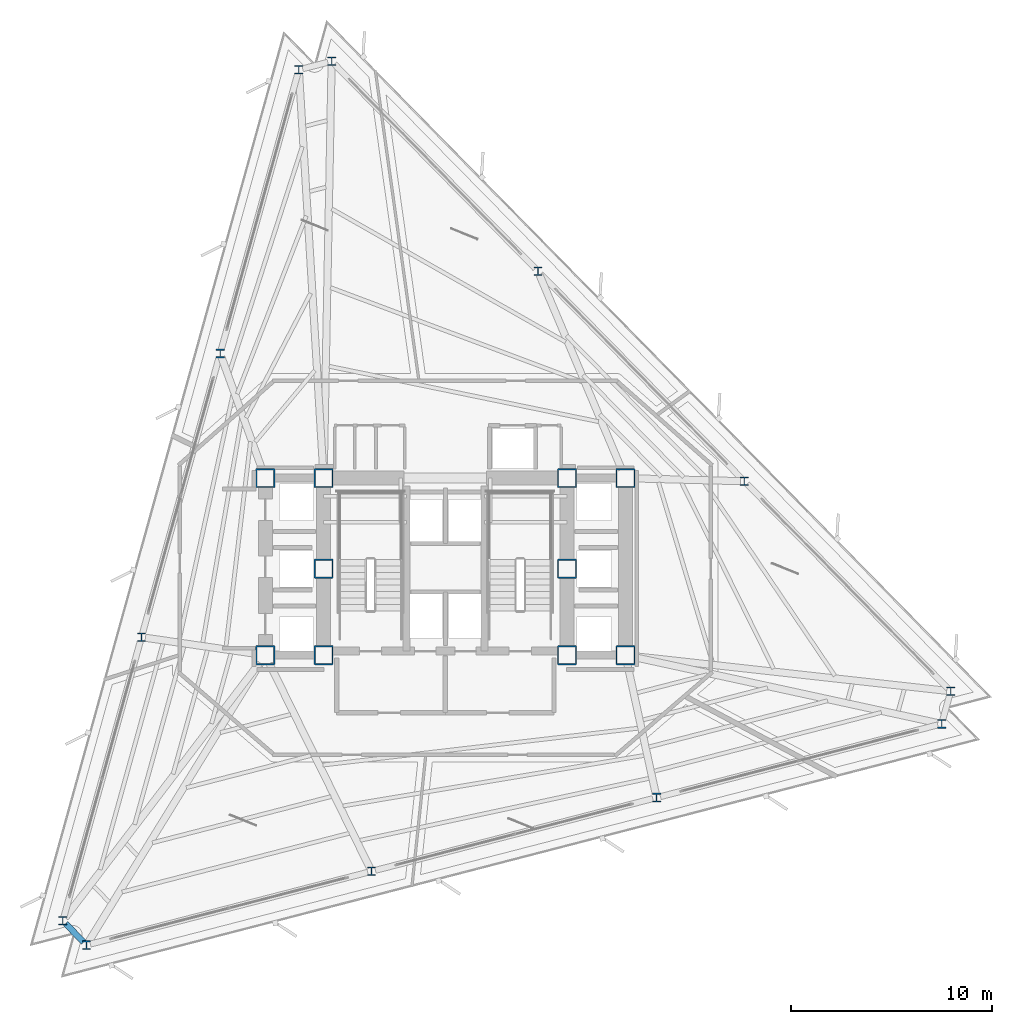
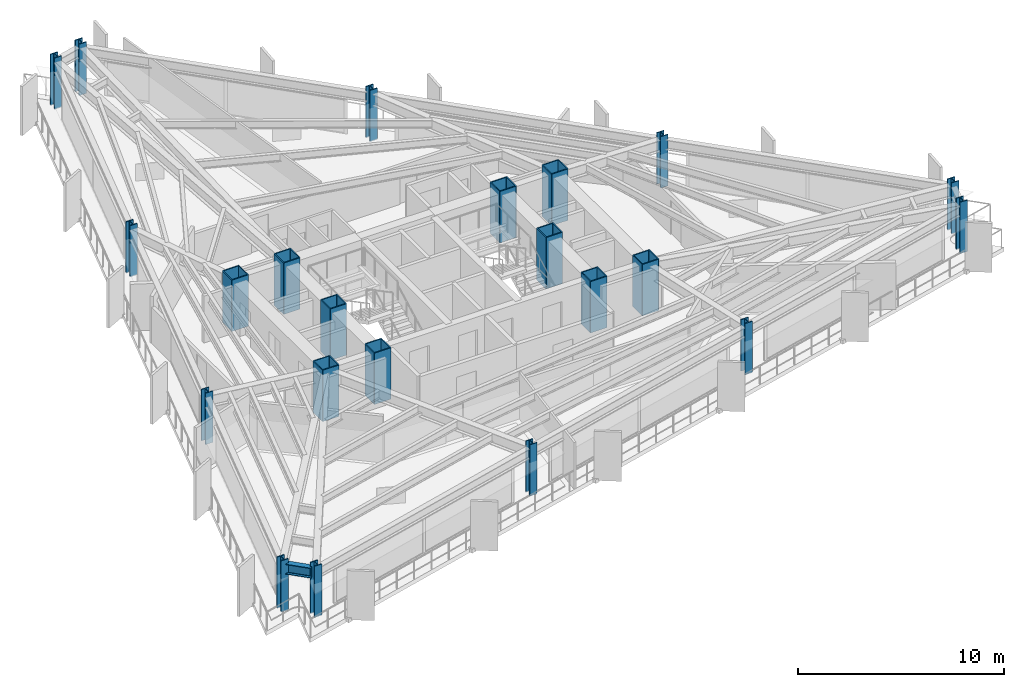
# One storey, part 1 of 11: 22 columns, 1 beam.
"""IFC4 building model written with IfcOpenShell, lengths in metres."""

import ifcopenshell
import ifcopenshell.guid

model = None  # the IFC model being written
_history = None  # IfcOwnerHistory: only IFC2X3 demands one
_inside = {}  # id of a spatial element -> (the spatial element, [elements in it])
_under = {}  # id of a project, library or spatial element -> (it, [spatial elements below it])
_declared = {}  # id of a project -> (the project, [libraries it declares])
_typed = {}  # id of a type object -> (the type object, [elements of that type])
_made_of = {}  # id of a material, layer set ... -> (it, [elements and type objects made of it])


def new_model(schema):
    """Start an empty IFC model of exactly this schema.

    Asked for "IFC4X3", IfcOpenShell would pick the latest addendum, in which some entities
    have other attributes; the version numbers below select the first issue.
    IFC2X3 requires an IfcOwnerHistory on every rooted entity: one is made here for all.
    """
    global model, _history
    if schema == "IFC4X3":
        model = ifcopenshell.file(schema_version=(4, 3, 0, 0))
    else:
        model = ifcopenshell.file(schema=schema)
    _inside.clear()
    _under.clear()
    _declared.clear()
    _typed.clear()
    _made_of.clear()
    _history = None
    if model.schema == "IFC2X3":
        org = make("IfcOrganization", Name="unknown")
        user = make(
            "IfcPersonAndOrganization",
            ThePerson=make("IfcPerson", FamilyName="unknown"),
            TheOrganization=org,
        )
        app = make(
            "IfcApplication",
            ApplicationDeveloper=org,
            Version="unknown",
            ApplicationFullName="unknown",
            ApplicationIdentifier="unknown",
        )
        _history = make(
            "IfcOwnerHistory",
            OwningUser=user,
            OwningApplication=app,
            ChangeAction="ADDED",
            CreationDate=0,
        )
    return model


def make(cls, **values):
    """One entity of the class cls with the attributes given. An attribute that is None is left unset."""
    return model.create_entity(
        cls, **{name: value for name, value in values.items() if value is not None}
    )


def rooted(cls, **values):
    """An entity with a GlobalId (a new one), such as an element, a storey or a relation."""
    return make(cls, GlobalId=ifcopenshell.guid.new(), OwnerHistory=_history, **values)


def si_unit(unit_type, name, prefix=None):
    """IfcSIUnit, for example si_unit("LENGTHUNIT", "METRE", prefix="MILLI")."""
    return make("IfcSIUnit", UnitType=unit_type, Prefix=prefix, Name=name)


def assignment(units):
    """IfcUnitAssignment: the units of a project."""
    return None if units is None else make("IfcUnitAssignment", Units=units)


def point(xyz):
    """IfcCartesianPoint."""
    return None if xyz is None else make("IfcCartesianPoint", Coordinates=xyz)


def direction(xyz):
    """IfcDirection."""
    return None if xyz is None else make("IfcDirection", DirectionRatios=xyz)


def frame(location, z_axis=None, x_axis=None):
    """IfcAxis2Placement3D, a coordinate frame: its origin and axes. An axis left out is left unset."""
    return make(
        "IfcAxis2Placement3D",
        Location=point(location),
        Axis=direction(z_axis),
        RefDirection=direction(x_axis),
    )


def frame_2d(location, x_axis=None):
    """IfcAxis2Placement2D, a coordinate frame in the plane: its origin and x axis."""
    return make(
        "IfcAxis2Placement2D", Location=point(location), RefDirection=direction(x_axis)
    )


def origin():
    """The frame at (0, 0, 0) with its axes left unset."""
    return frame((0.0, 0.0, 0.0))


def origin_2d():
    """The frame at (0, 0) in the plane with its x axis left unset."""
    return frame_2d((0.0, 0.0))


def place(relative_to, where):
    """IfcLocalPlacement: puts the frame where relative to a parent placement (None: the world)."""
    return make(
        "IfcLocalPlacement", PlacementRelTo=relative_to, RelativePlacement=where
    )


def context(
    kind, dimensions, precision=None, world=None, true_north=None, identifier=None
):
    """IfcGeometricRepresentationContext, for example the 3D "Model" context."""
    return make(
        "IfcGeometricRepresentationContext",
        ContextIdentifier=identifier,
        ContextType=kind,
        CoordinateSpaceDimension=dimensions,
        Precision=precision,
        WorldCoordinateSystem=world,
        TrueNorth=true_north,
    )


def subcontext(parent, identifier, kind, view, scale=None):
    """IfcGeometricRepresentationSubContext, for example "Body" below "Model"."""
    return make(
        "IfcGeometricRepresentationSubContext",
        ContextIdentifier=identifier,
        ContextType=kind,
        ParentContext=parent,
        TargetScale=scale,
        TargetView=view,
    )


def project(units=None, contexts=None):
    """IfcProject with its units and contexts."""
    return rooted(
        "IfcProject",
        Name="project",
        RepresentationContexts=contexts,
        UnitsInContext=assignment(units),
    )


def spatial(cls, under=None, at=None, **own):
    """A site, building, storey or space (cls), placed at a placement, below another one or the project."""
    s = rooted(cls, ObjectPlacement=at, **own)
    if under is not None:
        _under.setdefault(under.id(), (under, []))[1].append(s)
    return s


def profile(cls, at=None, kind="AREA", **sizes):
    """A parametric profile (cls). Its sizes go by their IFC names, for example OverallWidth=200.0."""
    return make(cls, ProfileType=kind, Position=at, **sizes)


def hollow_rectangle(**sizes):
    """IfcRectangleHollowProfileDef."""
    return profile("IfcRectangleHollowProfileDef", **sizes)


def i_section(**sizes):
    """IfcIShapeProfileDef."""
    return profile("IfcIShapeProfileDef", **sizes)


def extrude(swept, where, along, depth):
    """IfcExtrudedAreaSolid: the profile swept, set in the frame where, extruded along a direction by depth."""
    return make(
        "IfcExtrudedAreaSolid",
        SweptArea=swept,
        Position=where,
        ExtrudedDirection=direction(along),
        Depth=depth,
    )


def shape(context_of_items, identifier, shape_type, items):
    """IfcShapeRepresentation: the items that make up one representation, for example the "Body"."""
    return make(
        "IfcShapeRepresentation",
        ContextOfItems=context_of_items,
        RepresentationIdentifier=identifier,
        RepresentationType=shape_type,
        Items=items,
    )


def material(Name=None, Category=None):
    """IfcMaterial."""
    return make("IfcMaterial", Name=Name, Category=Category)


def material_profile(
    of_material, cross_section, Name=None, Category=None, Priority=None
):
    """IfcMaterialProfile: a cross section and its material."""
    return make(
        "IfcMaterialProfile",
        Name=Name,
        Material=of_material,
        Profile=cross_section,
        Priority=Priority,
        Category=Category,
    )


def profile_set(profiles, Name=None, composite=None):
    """IfcMaterialProfileSet."""
    return make(
        "IfcMaterialProfileSet",
        Name=Name,
        MaterialProfiles=profiles,
        CompositeProfile=composite,
    )


def made_of(thing, what):
    """Note that an element or type object is made of a material, layer set ...; save() writes the relation."""
    if what is not None:
        _made_of.setdefault(what.id(), (what, []))[1].append(thing)
    return thing


def type_object(cls, material=None, **own):
    """A type object (cls), such as IfcWallType, which elements share."""
    return made_of(rooted(cls, **own), material)


def element(
    cls,
    number,
    at=None,
    inside=None,
    cuts=None,
    type_object=None,
    material=None,
    context=None,
    identifier="Body",
    shape_type=None,
    held_by="IfcProductDefinitionShape",
    body=None,
    shapes=None,
    **own,
):
    """One element of the class cls, such as IfcWall. Its Tag is "e" and its number.

    at: its placement. inside: the storey or other place that contains it. cuts: it is an
    opening in that element (IfcRelVoidsElement). A single representation is given by context,
    identifier, shape_type and body (its items); several are given by shapes. held_by: the class
    of the entity that holds the representations. save() writes the other relations.
    """
    e = rooted(cls, Tag="e%d" % number, ObjectPlacement=at, **own)
    if body is not None:
        shapes = [shape(context, identifier, shape_type, body)]
    if shapes is not None:
        e.Representation = make(held_by, Representations=shapes)
    if inside is not None:
        _inside.setdefault(inside.id(), (inside, []))[1].append(e)
    if cuts is not None:
        rooted(
            "IfcRelVoidsElement", RelatingBuildingElement=cuts, RelatedOpeningElement=e
        )
    if type_object is not None:
        _typed.setdefault(type_object.id(), (type_object, []))[1].append(e)
    return made_of(e, material)


def aggregate(whole, parts):
    """IfcRelAggregates: a whole, such as a stair, and the parts it consists of."""
    return rooted("IfcRelAggregates", RelatingObject=whole, RelatedObjects=parts)


def save(model, path):
    """Write the relations noted so far, then the file.

    IfcRelAggregates (storeys below a building ...), IfcRelContainedInSpatialStructure (elements
    in a storey), IfcRelDefinesByType, IfcRelAssociatesMaterial and IfcRelDeclares: one each for
    every whole, place, type object, material and project.
    """
    for whole, parts in _under.values():
        aggregate(whole, parts)
    for where, things in _inside.values():
        rooted(
            "IfcRelContainedInSpatialStructure",
            RelatedElements=things,
            RelatingStructure=where,
        )
    for kind, things in _typed.values():
        rooted("IfcRelDefinesByType", RelatedObjects=things, RelatingType=kind)
    for what, things in _made_of.values():
        rooted("IfcRelAssociatesMaterial", RelatedObjects=things, RelatingMaterial=what)
    for by, libraries in _declared.values():
        rooted("IfcRelDeclares", RelatingContext=by, RelatedDefinitions=libraries)
    model.write(path)


model = new_model("IFC4")

# Units and contexts
model_context = context("Model", 3, precision=1e-05, world=origin(), true_north=direction((0.0, 1.0)))
body_context = subcontext(model_context, "Body", "Model", "MODEL_VIEW")
ifc_project = project(units=[si_unit("LENGTHUNIT", "METRE"), si_unit("AREAUNIT", "SQUARE_METRE"), si_unit("VOLUMEUNIT", "CUBIC_METRE"), si_unit("PLANEANGLEUNIT", "RADIAN"), si_unit("MASSUNIT", "GRAM", prefix="KILO")], contexts=[model_context])

# Site, building, storey
site_placement = place(None, origin())
site = spatial("IfcSite", under=ifc_project, at=site_placement, CompositionType="ELEMENT")
building_placement = place(site_placement, origin())
building = spatial("IfcBuilding", under=site, at=building_placement, Name="Rocaltana Carrier Exchange", CompositionType="ELEMENT")
storey_placement = place(building_placement, frame((0.0, 0.0, 88.639892578125)))
storey = spatial("IfcBuildingStorey", under=building, at=storey_placement, Name="L27", CompositionType="ELEMENT", Elevation=88.639892578125)

# Columns
ifc_material_1 = material(Name="Steel S460", Category="steel")
ifc_material_profile_1 = material_profile(ifc_material_1, hollow_rectangle(XDim=0.949951171875, YDim=0.949951171875, WallThickness=0.06005859375, InnerFilletRadius=0.02001953125, OuterFilletRadius=0.0400390625, at=origin_2d()), Name="BOX950X950X60")
ifc_profile_set_1 = profile_set([ifc_material_profile_1], Name="Steel S460")
column_type_1 = type_object("IfcColumnType", Name="Core Mega-Column BOX950", PredefinedType="COLUMN", material=ifc_profile_set_1)
for number, where, z_axis, x_axis, name in (
    (1, (-6.050048828125, 4.5, 0.0), (0.0, 0.0, 1.0), (1.0, 0.0, 0.0), "L27 Core Mega-Column MC1"),
    (2, (6.050048828125, 4.5, 0.0), (0.0, 0.0, 1.0), (1.0, 0.0, 0.0), "L27 Core Mega-Column MC2"),
    (3, (-6.050048828125, 0.0, 0.0), (0.0, 0.0, 1.0), (1.0, 0.0, 0.0), "L27 Core Mega-Column MC3"),
    (4, (6.050048828125, 0.0, 0.0), (0.0, 0.0, 1.0), (1.0, 0.0, 0.0), "L27 Core Mega-Column MC4"),
    (5, (-6.050048828125, -4.300048828125, 0.0), (0.0, 0.0, 1.0), (1.0, 0.0, 0.0), "L27 Core Mega-Column MC5"),
    (6, (6.050048828125, -4.300048828125, 0.0), (0.0, 0.0, 1.0), (1.0, 0.0, 0.0), "L27 Core Mega-Column MC6"),
    (7, (-8.949951171875, 4.5, 0.0), (0.0, 0.0, 1.0), (1.0, 0.0, 0.0), "L27 West Core Column WC1"),
    (8, (-8.949951171875, -4.300048828125, 0.0), (0.0, 0.0, 1.0), (1.0, 0.0, 0.0), "L27 West Core Column WC2"),
    (9, (8.949951171875, 4.5, 0.0), (0.0, 0.0, 1.0), (1.0, 0.0, 0.0), "L27 East Core Column EC1"),
    (10, (8.949951171875, -4.300048828125, 0.0), (0.0, 0.0, 1.0), (1.0, 0.0, 0.0), "L27 East Core Column EC2"),
):
    element("IfcColumn", number, at=place(storey_placement, frame(where, z_axis=z_axis, x_axis=x_axis)), inside=storey, type_object=column_type_1, Name=name, PredefinedType="COLUMN", context=body_context, shape_type="SweptSolid", body=[
        extrude(hollow_rectangle(XDim=0.949951171875, YDim=0.949951171875, WallThickness=0.06005859375, InnerFilletRadius=0.02001953125, OuterFilletRadius=0.0400390625, at=origin_2d()), origin(), (0.0, 0.0, 1.0), 3.0400390625),
    ])
ifc_material_2 = material(Name="Steel S460", Category="steel")
ifc_material_profile_2 = material_profile(ifc_material_2, i_section(OverallWidth=0.412109375, OverallDepth=0.43505859375, WebThickness=0.035888671875, FlangeThickness=0.057373046875, FilletRadius=0.02197265625, at=origin_2d()), Name="W14X311")
ifc_profile_set_2 = profile_set([ifc_material_profile_2], Name="Steel S460")
column_type_2 = type_object("IfcColumnType", Name="Perimeter Column W14X311", PredefinedType="COLUMN", material=ifc_profile_set_2)
for number, where, z_axis, x_axis, name in (
    (11, (25.11767578125, -6.091552734375, 0.0), (0.0, 0.0, 1.0), (1.0, 0.0, 0.0), "L27 Perimeter Column TC01"),
    (12, (14.861083984375, 4.345703125, 0.0), (0.0, 0.0, 1.0), (1.0, 0.0, 0.0), "L27 Perimeter Column TC02"),
    (13, (4.6044921875, 14.782958984375, 0.0), (0.0, 0.0, 1.0), (1.0, 0.0, 0.0), "L27 Perimeter Column TC03"),
    (14, (-5.652099609375, 25.22021484375, 0.0), (0.0, 0.0, 1.0), (1.0, 0.0, 0.0), "L27 Perimeter Column TC04"),
    (15, (-7.283447265625, 24.79833984375, 0.0), (0.0, 0.0, 1.0), (1.0, 0.0, 0.0), "L27 Perimeter Column TC05"),
    (16, (-11.194091796875, 10.697265625, 0.0), (0.0, 0.0, 1.0), (1.0, 0.0, 0.0), "L27 Perimeter Column TC06"),
    (17, (-15.1044921875, -3.40380859375, 0.0), (0.0, 0.0, 1.0), (1.0, 0.0, 0.0), "L27 Perimeter Column TC07"),
    (18, (-19.01513671875, -17.505126953125, 0.0), (0.0, 0.0, 1.0), (1.0, 0.0, 0.0), "L27 Perimeter Column TC08"),
    (19, (-17.834228515625, -18.706787109375, 0.0), (0.0, 0.0, 1.0), (1.0, 0.0, 0.0), "L27 Perimeter Column TC09"),
    (20, (-3.6669921875, -15.04296875, 0.0), (0.0, 0.0, 1.0), (1.0, 0.0, 0.0), "L27 Perimeter Column TC10"),
    (21, (10.500244140625, -11.37890625, 0.0), (0.0, 0.0, 1.0), (1.0, 0.0, 0.0), "L27 Perimeter Column TC11"),
    (22, (24.66748046875, -7.715087890625, 0.0), (0.0, 0.0, 1.0), (1.0, 0.0, 0.0), "L27 Perimeter Column TC12"),
):
    element("IfcColumn", number, at=place(storey_placement, frame(where, z_axis=z_axis, x_axis=x_axis)), inside=storey, type_object=column_type_2, Name=name, PredefinedType="COLUMN", context=body_context, shape_type="SweptSolid", body=[
        extrude(i_section(OverallWidth=0.412109375, OverallDepth=0.43505859375, WebThickness=0.035888671875, FlangeThickness=0.057373046875, FilletRadius=0.02197265625, at=origin_2d()), origin(), (0.0, 0.0, 1.0), 3.0400390625),
    ])

# Beam
ifc_material_3 = material(Name="Steel S355", Category="steel")
ifc_material_profile_3 = material_profile(ifc_material_3, i_section(OverallWidth=0.300048828125, OverallDepth=0.60009765625, WebThickness=0.015380859375, FlangeThickness=0.030029296875, FilletRadius=0.027099609375, at=origin_2d()), Name="HEB600")
ifc_profile_set_3 = profile_set([ifc_material_profile_3], Name="Steel S355")
beam_type = type_object("IfcBeamType", Name="Spandrel Edge Beam HEB600", PredefinedType="SPANDREL", material=ifc_profile_set_3)
beam_placement = place(storey_placement, frame((-18.87646484375, -17.646240234375, 2.488037109375), z_axis=(0.700924882604, -0.713235100753, 0.0), x_axis=(0.713235100753, 0.700924882604, 0.0)))
element("IfcBeam", 23, at=beam_placement, inside=storey, type_object=beam_type, Name="SP-L27-08", PredefinedType="SPANDREL", context=body_context, shape_type="SweptSolid", body=[
    extrude(i_section(OverallWidth=0.300048828125, OverallDepth=0.60009765625, WebThickness=0.015380859375, FlangeThickness=0.030029296875, FilletRadius=0.027099609375, at=origin_2d()), origin(), (0.0, 0.0, 1.0), 1.2890625),
])

save(model, "model.ifc")
